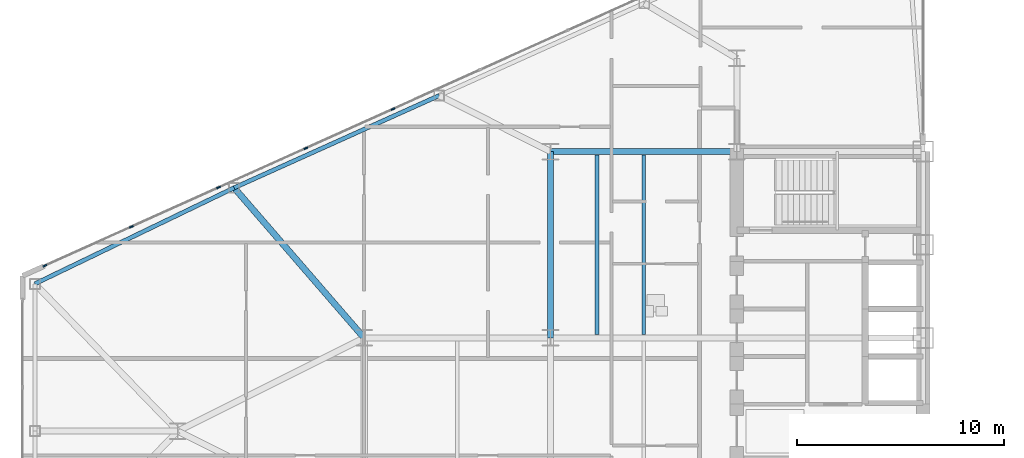
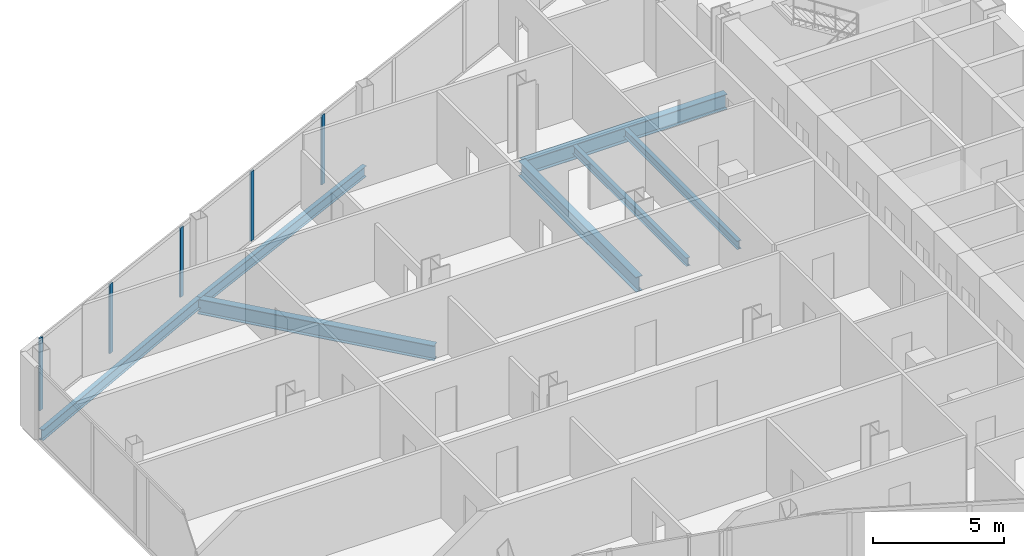
# One storey, part 7 of 27: 7 beams, 5 members, 1 element without a shape of its own.
"""IFC4 building model written with IfcOpenShell, lengths in metres."""

from ifc_helpers import new_model, si_unit, direction, frame, origin, origin_2d, place, context, subcontext, project, spatial, rectangle, i_section, extrude, source, transform, mapped, material, layer, layer_set, material_profile, profile_set, type_object, type_shapes, element, aggregate, save


model = new_model("IFC4")

# Units and contexts
model_context = context("Model", 3, precision=1e-05, world=origin(), true_north=direction((0.0, 1.0)))
body_context = subcontext(model_context, "Body", "Model", "MODEL_VIEW")
ifc_project = project(units=[si_unit("LENGTHUNIT", "METRE"), si_unit("AREAUNIT", "SQUARE_METRE"), si_unit("VOLUMEUNIT", "CUBIC_METRE"), si_unit("PLANEANGLEUNIT", "RADIAN"), si_unit("MASSUNIT", "GRAM", prefix="KILO")], contexts=[model_context])

# Site, building, storey
site_placement = place(None, origin())
site = spatial("IfcSite", under=ifc_project, at=site_placement, CompositionType="ELEMENT")
building_placement = place(site_placement, origin())
building = spatial("IfcBuilding", under=site, at=building_placement, Name="Seokmaru Belvedere", CompositionType="ELEMENT")
storey_placement = place(building_placement, frame((0.0, 0.0, 103.199951171875)))
storey = spatial("IfcBuildingStorey", under=building, at=storey_placement, Name="L27", CompositionType="ELEMENT", Elevation=103.199951171875)

# Beams
ifc_material_1 = material(Name="Steel SM355 (355 MPa)", Category="steel")
ifc_material_profile_1 = material_profile(ifc_material_1, i_section(OverallWidth=0.300048828125, OverallDepth=0.699951171875, WebThickness=0.012939453125, FlangeThickness=0.02392578125, at=origin_2d()), Name="H-700x300x13x24")
ifc_profile_set_1 = profile_set([ifc_material_profile_1], Name="Steel SM355 (355 MPa)")
beam_type_1 = type_object("IfcBeamType", Name="Primary Floor Girder H-700", PredefinedType="BEAM", material=ifc_profile_set_1)
shared_shape_1 = source(origin(), body_context, "Body", "SweptSolid", [
    extrude(i_section(OverallWidth=0.300048828125, OverallDepth=0.699951171875, WebThickness=0.012939453125, FlangeThickness=0.02392578125, at=origin_2d()), origin(), (0.0, 0.0, 1.0), 9.0),
])
for number, where, z_axis, x_axis, name in (
    (1, (-45.5, 4.5, -0.570068359375), (0.0, 1.0, 0.0), (-1.0, 0.0, 0.0), "L27 W Interior Grid Girder 3"),
    (2, (-45.5, 13.5, -0.570068359375), (1.0, 0.0, 0.0), (0.0, 1.0, 0.0), "L27 W Wing Primary Girder 4"),
):
    element("IfcBeam", number, at=place(storey_placement, frame(where, z_axis=z_axis, x_axis=x_axis)), inside=storey, type_object=beam_type_1, Name=name, PredefinedType="BEAM", context=body_context, shape_type="MappedRepresentation", body=[
        mapped(shared_shape_1, transform((0.0, 0.0, 0.0), scale=1.0)),
    ])
ifc_material_profile_2 = material_profile(ifc_material_1, i_section(OverallWidth=0.18505859375, OverallDepth=0.389892578125, WebThickness=0.008056640625, FlangeThickness=0.011962890625, at=origin_2d()), Name="H-390x185x8x12")
ifc_profile_set_2 = profile_set([ifc_material_profile_2], Name="Steel SM355 (355 MPa)")
beam_type_2 = type_object("IfcBeamType", Name="Secondary Floor Joist H-350", PredefinedType="JOIST", material=ifc_profile_set_2)
shared_shape_2 = source(origin(), body_context, "Body", "SweptSolid", [
    extrude(i_section(OverallWidth=0.18505859375, OverallDepth=0.389892578125, WebThickness=0.008056640625, FlangeThickness=0.011962890625, at=origin_2d()), origin(), (0.0, 0.0, 1.0), 8.68994140625),
])
type_shapes(beam_type_2, [shared_shape_2])
for number, where, z_axis, x_axis, name in (
    (3, (-43.25, 4.655029296875, -0.4150390625), (0.0, 1.0, 0.0), (-1.0, 0.0, 0.0), "L27 W Wing Inner Secondary Joist 2"),
    (4, (-41.0, 4.655029296875, -0.4150390625), (0.0, 1.0, 0.0), (-1.0, 0.0, 0.0), "L27 W Secondary Floor Joist 3"),
):
    element("IfcBeam", number, at=place(storey_placement, frame(where, z_axis=z_axis, x_axis=x_axis)), inside=storey, type_object=beam_type_2, Name=name, PredefinedType="JOIST", context=body_context, shape_type="MappedRepresentation", body=[
        mapped(shared_shape_2, transform((0.0, 0.0, 0.0), scale=1.0)),
    ])
ifc_material_profile_3 = material_profile(ifc_material_1, i_section(OverallWidth=0.199951171875, OverallDepth=0.5, WebThickness=0.010009765625, FlangeThickness=0.01611328125, at=origin_2d()), Name="H-500x200x10x16")
ifc_profile_set_3 = profile_set([ifc_material_profile_3], Name="Steel SM355 (355 MPa)")
beam_type_3 = type_object("IfcBeamType", Name="Perimeter Spandrel Beam H-500", PredefinedType="SPANDREL", material=ifc_profile_set_3)
shared_shape_3 = source(origin(), body_context, "Body", "SweptSolid", [
    extrude(i_section(OverallWidth=0.199951171875, OverallDepth=0.5, WebThickness=0.010009765625, FlangeThickness=0.01611328125, at=origin_2d()), origin(), (0.0, 0.0, 1.0), 10.85888671875),
])
beam_1_placement = place(storey_placement, frame((-50.875, 16.205322265625, -0.469970703125), z_axis=(-0.911925291223, -0.410356263785, 0.0), x_axis=(0.410356263785, -0.911925291223, 0.0)))
element("IfcBeam", 5, at=beam_1_placement, inside=storey, type_object=beam_type_3, Name="L27 W Faceted Flank Spandrel N-3", PredefinedType="SPANDREL", context=body_context, shape_type="MappedRepresentation", body=[
    mapped(shared_shape_3, transform((0.0, 0.0, 0.0), scale=1.0)),
])
shared_shape_4 = source(origin(), body_context, "Body", "SweptSolid", [
    extrude(i_section(OverallWidth=0.199951171875, OverallDepth=0.5, WebThickness=0.010009765625, FlangeThickness=0.01611328125, at=origin_2d()), origin(), (0.0, 0.0, 1.0), 10.681396484375),
])
type_shapes(beam_type_3, [shared_shape_3, shared_shape_4])
beam_2_placement = place(storey_placement, frame((-60.777587890625, 11.749267578125, -0.469970703125), z_axis=(-0.900846426616, -0.434137899352, 0.0), x_axis=(0.434137899352, -0.900846426616, 0.0)))
element("IfcBeam", 6, at=beam_2_placement, inside=storey, type_object=beam_type_3, Name="L27 W Faceted Flank Spandrel N-4", PredefinedType="SPANDREL", context=body_context, shape_type="MappedRepresentation", body=[
    mapped(shared_shape_4, transform((0.0, 0.0, 0.0), scale=1.0)),
])
shared_shape_5 = source(origin(), body_context, "Body", "SweptSolid", [
    extrude(i_section(OverallWidth=0.300048828125, OverallDepth=0.699951171875, WebThickness=0.012939453125, FlangeThickness=0.02392578125, at=origin_2d()), origin(), (0.0, 0.0, 1.0), 9.589599609375),
])
type_shapes(beam_type_1, [shared_shape_1, shared_shape_5])
beam_3_placement = place(storey_placement, frame((-60.777587890625, 11.749267578125, -0.570068359375), z_axis=(0.654626140929, -0.755952786629, 0.0), x_axis=(0.755952786629, 0.654626140929, 0.0)))
element("IfcBeam", 7, at=beam_3_placement, inside=storey, type_object=beam_type_1, Name="L27 W Flank Radial Floor Girder N-3", PredefinedType="BEAM", context=body_context, shape_type="MappedRepresentation", body=[
    mapped(shared_shape_5, transform((0.0, 0.0, 0.0), scale=1.0)),
])

# Curtain wall, members
ifc_material_2 = material(Name="Bronze Triple Insulating Glass", Category="glass")
ifc_layer = layer(ifc_material_2, 0.195068359375)
ifc_layer_set = layer_set([ifc_layer], Name="Bronze Triple Insulating Glass")
curtain_wall_type = type_object("IfcCurtainWallType", Name="Lower-Mid Tapered Curtain Wall System CW-3", PredefinedType="NOTDEFINED", material=ifc_layer_set)
curtain_wall_placement = place(storey_placement, origin())
curtain_wall = element("IfcCurtainWall", 8, at=curtain_wall_placement, inside=storey, type_object=curtain_wall_type, Name="L27 Curtain Wall WF3", PredefinedType="NOTDEFINED")
ifc_material_3 = material(Name="Anodised Bronze Aluminium", Category="aluminium")
ifc_material_profile_4 = material_profile(ifc_material_3, rectangle(XDim=0.070068359375, YDim=0.195068359375, at=origin_2d()), Name="CW-M-70x195")
ifc_profile_set_4 = profile_set([ifc_material_profile_4], Name="Anodised Bronze Aluminium")
member_type = type_object("IfcMemberType", Name="Bronze Unitised Mullion 70x195", PredefinedType="MULLION", material=ifc_profile_set_4)
shared_shape_6 = source(origin(), body_context, "Body", "SweptSolid", [
    extrude(rectangle(XDim=0.070068359375, YDim=0.195068359375, at=origin_2d()), origin(), (0.0, 0.0, 1.0), 3.239990234375),
])
member_1_placement = place(storey_placement, frame((-53.105712890625, 15.552490234375, 0.070068359375), z_axis=(0.0, 0.0, 1.0), x_axis=(0.41036554765, -0.91192111353, 0.0)))
member_1 = element("IfcMember", 9, at=member_1_placement, type_object=member_type, Name="CW:L27:WF3 Mullion 6", PredefinedType="MULLION", context=body_context, shape_type="MappedRepresentation", body=[
    mapped(shared_shape_6, transform((0.0, 0.0, 0.0), scale=1.0)),
])
member_2_placement = place(storey_placement, frame((-57.317138671875, 13.6572265625, 0.070068359375), z_axis=(0.0, 0.0, 1.0), x_axis=(0.41036554765, -0.91192111353, 0.0)))
member_2 = element("IfcMember", 10, at=member_2_placement, type_object=member_type, Name="CW:L27:WF3 Mullion 7", PredefinedType="MULLION", context=body_context, shape_type="MappedRepresentation", body=[
    mapped(shared_shape_6, transform((0.0, 0.0, 0.0), scale=1.0)),
])
member_3_placement = place(storey_placement, frame((-61.528564453125, 11.76220703125, 0.070068359375), z_axis=(0.0, 0.0, 1.0), x_axis=(0.41036554765, -0.91192111353, 0.0)))
member_3 = element("IfcMember", 11, at=member_3_placement, type_object=member_type, Name="CW:L27:WF3 Mullion 8", PredefinedType="MULLION", context=body_context, shape_type="MappedRepresentation", body=[
    mapped(shared_shape_6, transform((0.0, 0.0, 0.0), scale=1.0)),
])
member_4_placement = place(storey_placement, frame((-65.739990234375, 9.866943359375, 0.070068359375), z_axis=(0.0, 0.0, 1.0), x_axis=(0.41036554765, -0.91192111353, 0.0)))
member_4 = element("IfcMember", 12, at=member_4_placement, type_object=member_type, Name="CW:L27:WF3 Mullion 9", PredefinedType="MULLION", context=body_context, shape_type="MappedRepresentation", body=[
    mapped(shared_shape_6, transform((0.0, 0.0, 0.0), scale=1.0)),
])
shared_shape_7 = source(origin(), body_context, "Body", "SweptSolid", [
    extrude(rectangle(XDim=0.070068359375, YDim=0.195068359375, at=origin_2d()), origin(), (0.0, 0.0, 1.0), 3.380126953125),
])
type_shapes(member_type, [shared_shape_6, shared_shape_7])
member_5_placement = place(storey_placement, frame((-69.91943359375, 7.986328125, 0.0), z_axis=(0.0, 0.0, 1.0), x_axis=(0.41036554765, -0.91192111353, 0.0)))
member_5 = element("IfcMember", 13, at=member_5_placement, type_object=member_type, Name="CW:L27:WF3 Mullion 10", PredefinedType="MULLION", context=body_context, shape_type="MappedRepresentation", body=[
    mapped(shared_shape_7, transform((0.0, 0.0, 0.0), scale=1.0)),
])
aggregate(curtain_wall, [member_1, member_2, member_3, member_4, member_5])

save(model, "model.ifc")
